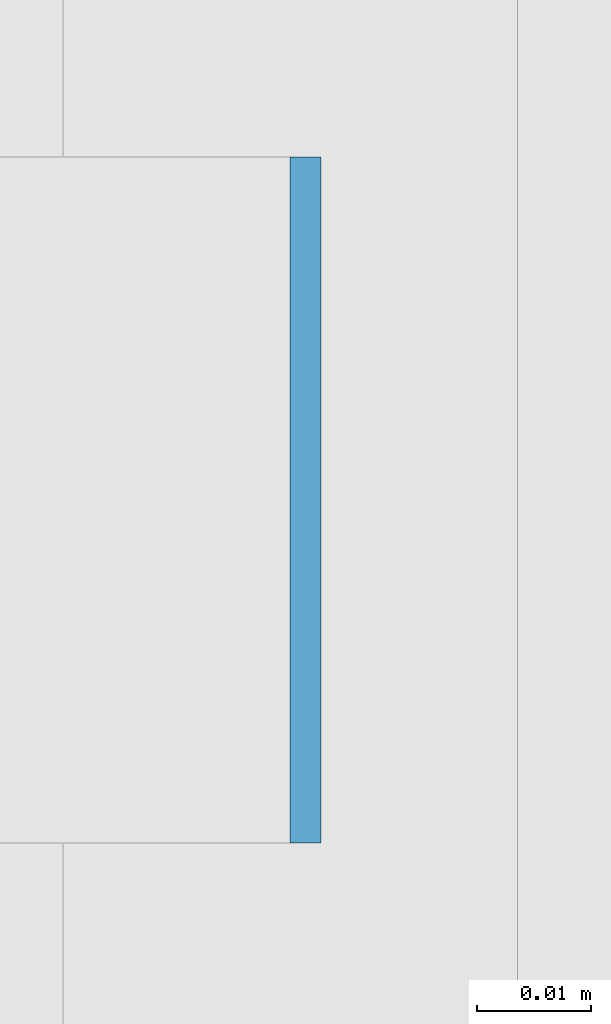
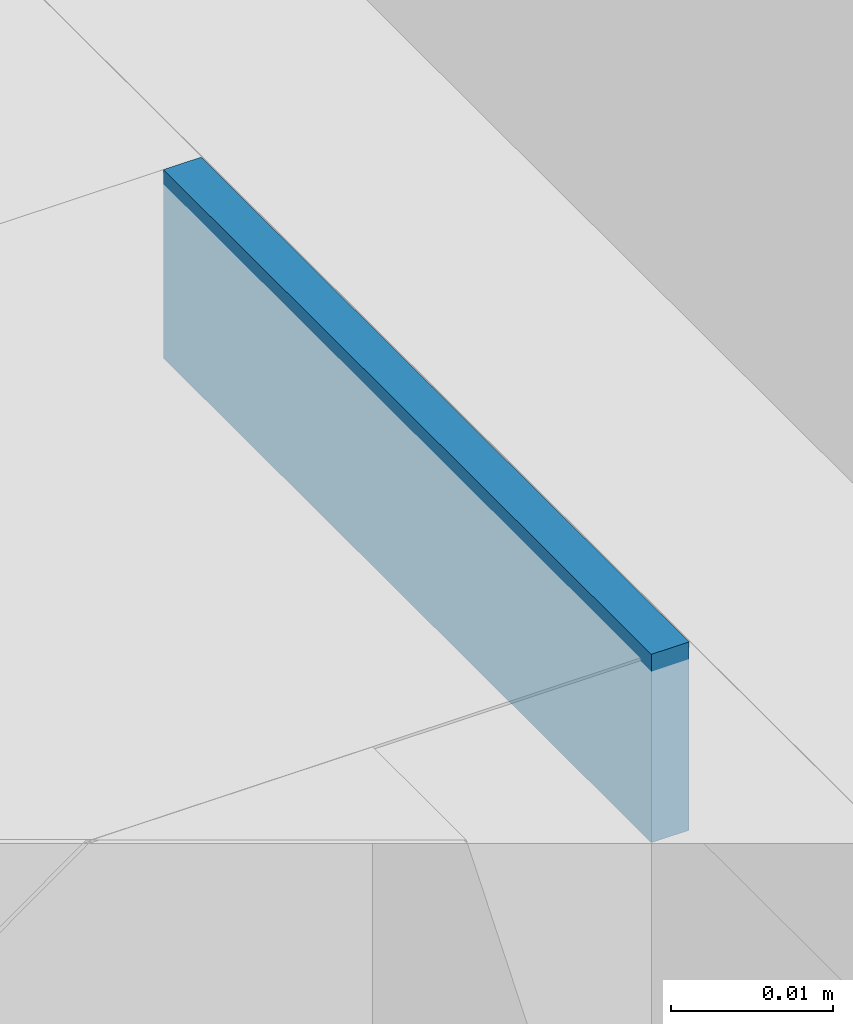
# One storey, part 255 of 646: 1 discrete accessory.
"""IFC4 building model written with IfcOpenShell, lengths in metres."""

from ifc_helpers import new_model, si_unit, direction, frame, origin, origin_2d, place, context, subcontext, project, spatial, rectangle, extrude, material, type_object, element, save


model = new_model("IFC4")

# Units and contexts
model_context = context("Model", 3, precision=1e-05, world=origin(), true_north=direction((0.0, 1.0)))
body_context = subcontext(model_context, "Body", "Model", "MODEL_VIEW")
ifc_project = project(units=[si_unit("LENGTHUNIT", "METRE"), si_unit("AREAUNIT", "SQUARE_METRE"), si_unit("VOLUMEUNIT", "CUBIC_METRE"), si_unit("PLANEANGLEUNIT", "RADIAN"), si_unit("MASSUNIT", "GRAM", prefix="KILO")], contexts=[model_context])

# Site, building, storey
site_placement = place(None, origin())
site = spatial("IfcSite", under=ifc_project, at=site_placement, CompositionType="ELEMENT")
building_placement = place(site_placement, origin())
building = spatial("IfcBuilding", under=site, at=building_placement, Name="Silverbay Arena", CompositionType="ELEMENT")
storey_placement = place(building_placement, frame((0.0, 0.0, 33.5)))
storey = spatial("IfcBuildingStorey", under=building, at=storey_placement, Name="L05", CompositionType="ELEMENT", Elevation=33.5)

# Discrete accessory
ifc_material = material(Name="Steel S355", Category="steel")
discrete_accessory_type = type_object("IfcDiscreteAccessoryType", Name="Steel bracket plate", PredefinedType="BRACKET", material=ifc_material)
discrete_accessory_placement = place(storey_placement, frame((53.871337890625, 37.28564453125, 12.98583984375), z_axis=(0.0, 0.0, 1.0), x_axis=(1.0, 0.0, 0.0)))
element("IfcDiscreteAccessory", 1, at=discrete_accessory_placement, inside=storey, type_object=discrete_accessory_type, Name="Curtain wall packing plate", PredefinedType="BRACKET", context=body_context, shape_type="SweptSolid", body=[
    extrude(rectangle(XDim=0.002685546875, YDim=0.06005859375, at=origin_2d()), origin(), (0.0, 0.0, 1.0), 0.01416015625),
])

save(model, "model.ifc")
